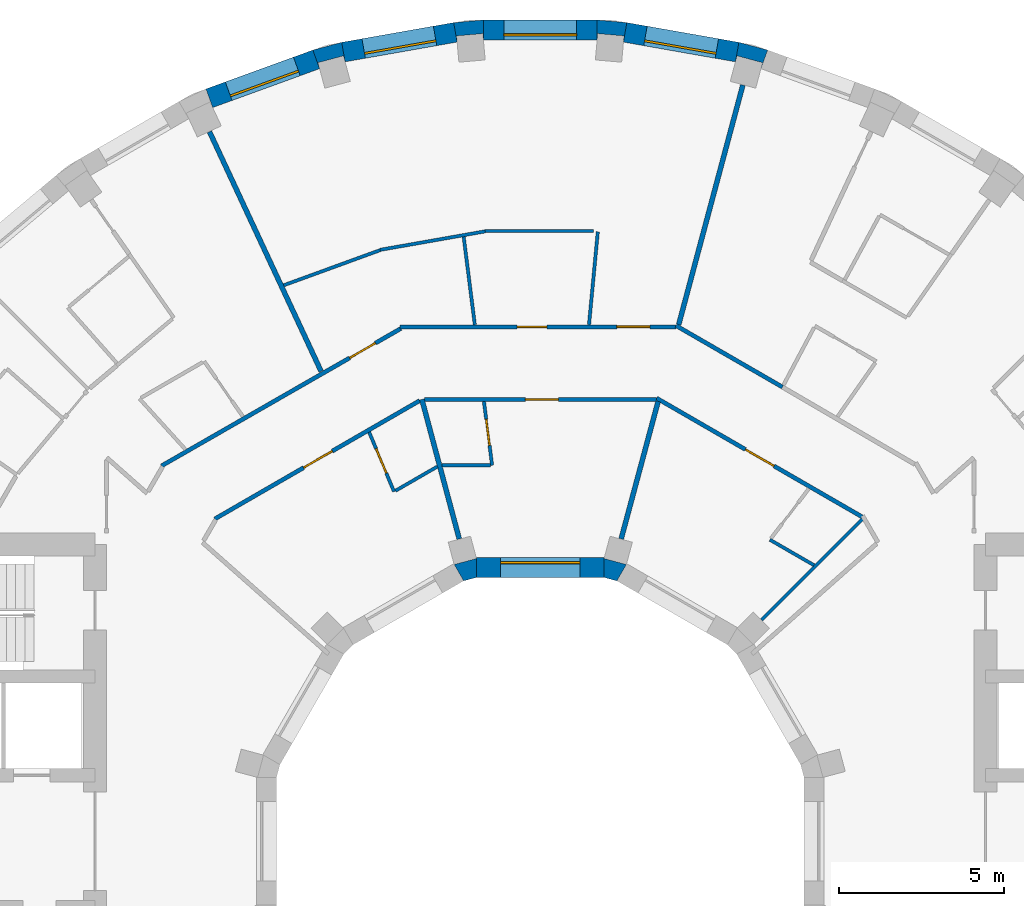
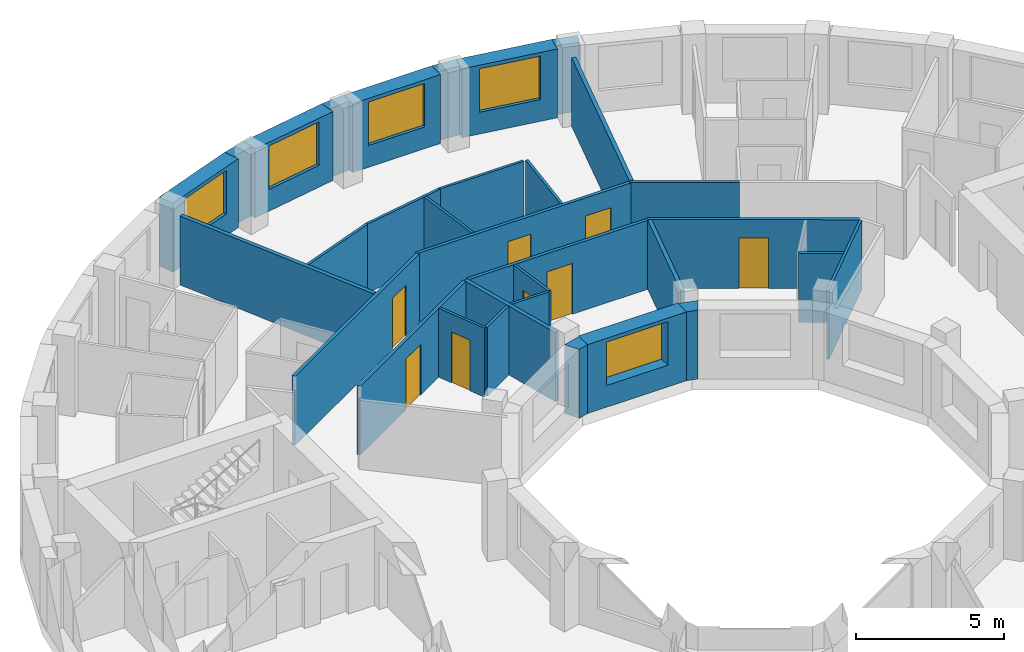
# One storey, part 8 of 11: 32 walls, 8 doors, 5 windows, 13 openings.
"""IFC4 building model written with IfcOpenShell, lengths in metres."""

from ifc_helpers import new_model, si_unit, direction, frame, frame_2d, origin, place, context, subcontext, project, spatial, polyline, rectangle, outline, extrude, material, layer, layer_set, type_object, element, fill, save


model = new_model("IFC4")

# Units and contexts
model_context = context("Model", 3, precision=1e-05, world=origin(), true_north=direction((0.0, 1.0)))
body_context = subcontext(model_context, "Body", "Model", "MODEL_VIEW")
ifc_project = project(units=[si_unit("LENGTHUNIT", "METRE"), si_unit("AREAUNIT", "SQUARE_METRE"), si_unit("VOLUMEUNIT", "CUBIC_METRE"), si_unit("PLANEANGLEUNIT", "RADIAN"), si_unit("MASSUNIT", "GRAM", prefix="KILO")], contexts=[model_context])

# Site, building, storey
site_placement = place(None, origin())
site = spatial("IfcSite", under=ifc_project, at=site_placement, CompositionType="ELEMENT")
building_placement = place(site_placement, origin())
building = spatial("IfcBuilding", under=site, at=building_placement, Name="Saqina Gate Tower", CompositionType="ELEMENT")
storey_placement = place(building_placement, frame((0.0, 0.0, 183.89990234375)))
storey = spatial("IfcBuildingStorey", under=building, at=storey_placement, Name="L52", CompositionType="ELEMENT", Elevation=183.89990234375)

# Walls
ifc_material_1 = material(Name="Brick masonry (buff)", Category="masonry")
wall_type_1 = type_object("IfcWallType", Name="BRICK PIER COPING BUFF", PredefinedType="SOLIDWALL", material=ifc_material_1)
wall_1_placement = place(storey_placement, origin())
element("IfcWall", 1, at=wall_1_placement, inside=storey, type_object=wall_type_1, Name="Pier cap L52 column 8", PredefinedType="SOLIDWALL", context=body_context, shape_type="SweptSolid", body=[
    extrude(outline(polyline([(6.0234375, 24.22705078125), (5.919189453125, 23.635986328125), (5.967529296875, 23.81689453125), (6.740478515625, 23.610107421875), (6.69189453125, 23.428955078125), (6.897216796875, 23.992919921875), (6.0234375, 24.22705078125)])), origin(), (0.0, 0.0, 1.0), 2.85009765625),
])
wall_2_placement = place(storey_placement, origin())
element("IfcWall", 2, at=wall_2_placement, inside=storey, type_object=wall_type_1, Name="Pier cap L52 column 9", PredefinedType="SOLIDWALL", context=body_context, shape_type="SweptSolid", body=[
    extrude(outline(polyline([(2.6259765625, 24.825927734375), (1.724853515625, 24.90478515625), (1.724853515625, 24.304931640625), (1.7412109375, 24.491455078125), (2.5380859375, 24.421630859375), (2.521728515625, 24.235107421875), (2.6259765625, 24.825927734375)])), origin(), (0.0, 0.0, 1.0), 2.85009765625),
])
wall_3_placement = place(storey_placement, origin())
element("IfcWall", 3, at=wall_3_placement, inside=storey, type_object=wall_type_1, Name="Pier cap L52 column 10", PredefinedType="SOLIDWALL", context=body_context, shape_type="SweptSolid", body=[
    extrude(outline(polyline([(-1.724853515625, 24.90478515625), (-2.6259765625, 24.825927734375), (-2.521728515625, 24.235107421875), (-2.5380859375, 24.421630859375), (-1.7412109375, 24.491455078125), (-1.724853515625, 24.304931640625), (-1.724853515625, 24.90478515625)])), origin(), (0.0, 0.0, 1.0), 2.85009765625),
])
wall_4_placement = place(storey_placement, origin())
element("IfcWall", 4, at=wall_4_placement, inside=storey, type_object=wall_type_1, Name="Pier cap L52 column 11", PredefinedType="SOLIDWALL", context=body_context, shape_type="SweptSolid", body=[
    extrude(outline(polyline([(-6.0234375, 24.22705078125), (-6.897216796875, 23.992919921875), (-6.69189453125, 23.428955078125), (-6.740478515625, 23.610107421875), (-5.967529296875, 23.81689453125), (-5.919189453125, 23.635986328125), (-6.0234375, 24.22705078125)])), origin(), (0.0, 0.0, 1.0), 2.85009765625),
])

# Wall, opening, window
ifc_material_2 = material(Name="Brick masonry (buff)", Category="masonry")
ifc_layer_1 = layer(ifc_material_2, 0.60009765625)
ifc_layer_set_1 = layer_set([ifc_layer_1], Name="FW-BRICK-BUFF")
wall_type_2 = type_object("IfcWallType", Name="FW-BRICK-BUFF", PredefinedType="SOLIDWALL", material=ifc_layer_set_1)
wall_5_placement = place(storey_placement, frame((5.97119140625, 23.931640625, 0.0), z_axis=(0.0, 0.0, 1.0), x_axis=(-0.984814892183, 0.173607684551, 0.0)))
wall_5 = element("IfcWall", 5, at=wall_5_placement, inside=storey, type_object=wall_type_2, Name="Facade wall L52 facet 8", PredefinedType="SOLIDWALL", context=body_context, shape_type="SweptSolid", body=[
    extrude(rectangle(XDim=3.44970703125, YDim=0.60009765625, at=frame_2d((1.724853515625, 0.0))), origin(), (0.0, 0.0, 1.0), 2.85009765625),
])
opening_1_placement = place(wall_5_placement, frame((0.625, 0.0, 0.89990234375)))
opening_1 = element("IfcOpeningElement", 6, at=opening_1_placement, cuts=wall_5, Name="Opening G15-W05", PredefinedType="OPENING", context=body_context, shape_type="SweptSolid", body=[
    extrude(rectangle(XDim=2.199951171875, YDim=1.800048828125, at=frame_2d((1.10009765625, 0.89990234375))), frame((0.0, 0.31201171875, 0.0), z_axis=(0.0, -1.0, 0.0), x_axis=(1.0, 0.0, 0.0)), (0.0, 0.0, 1.0), 0.6240234375),
])
ifc_material_3 = material(Name="Aluminium glazing", Category="aluminium")
window_type_1 = type_object("IfcWindowType", Name="WN-C", PartitioningType="SINGLE_PANEL", PredefinedType="WINDOW", material=ifc_material_3)
window_1_placement = place(opening_1_placement, origin())
window_1 = element("IfcWindow", 7, at=window_1_placement, inside=storey, type_object=window_type_1, Name="Window L52 facet 8", OverallHeight=1.800048828125, OverallWidth=2.199951171875, PartitioningType="SINGLE_PANEL", PredefinedType="WINDOW", context=body_context, shape_type="SweptSolid", body=[
    extrude(rectangle(XDim=2.199951171875, YDim=1.800048828125, at=frame_2d((1.10009765625, 0.89990234375))), frame((0.0, 0.179931640625, 0.0), z_axis=(0.0, -1.0, 0.0), x_axis=(1.0, 0.0, 0.0)), (0.0, 0.0, 1.0), 0.06005859375),
])
fill(opening_1, window_1)

wall_6_placement = place(storey_placement, frame((1.724853515625, 24.60498046875, 0.0), z_axis=(0.0, 0.0, 1.0), x_axis=(-1.0, 0.0, 0.0)))
wall_6 = element("IfcWall", 8, at=wall_6_placement, inside=storey, type_object=wall_type_2, Name="Facade wall L52 facet 9", PredefinedType="SOLIDWALL", context=body_context, shape_type="SweptSolid", body=[
    extrude(rectangle(XDim=3.44970703125, YDim=0.60009765625, at=frame_2d((1.724853515625, 0.0))), origin(), (0.0, 0.0, 1.0), 2.85009765625),
])
opening_2_placement = place(wall_6_placement, frame((0.625, 0.0, 0.89990234375)))
opening_2 = element("IfcOpeningElement", 9, at=opening_2_placement, cuts=wall_6, Name="Opening G15-W06", PredefinedType="OPENING", context=body_context, shape_type="SweptSolid", body=[
    extrude(rectangle(XDim=2.199951171875, YDim=1.800048828125, at=frame_2d((1.10009765625, 0.89990234375))), frame((0.0, 0.31201171875, 0.0), z_axis=(0.0, -1.0, 0.0), x_axis=(1.0, 0.0, 0.0)), (0.0, 0.0, 1.0), 0.6240234375),
])
window_2_placement = place(opening_2_placement, origin())
window_2 = element("IfcWindow", 10, at=window_2_placement, inside=storey, type_object=window_type_1, Name="Window L52 facet 9", OverallHeight=1.800048828125, OverallWidth=2.199951171875, PartitioningType="SINGLE_PANEL", PredefinedType="WINDOW", context=body_context, shape_type="SweptSolid", body=[
    extrude(rectangle(XDim=2.199951171875, YDim=1.800048828125, at=frame_2d((1.10009765625, 0.89990234375))), frame((0.0, 0.179931640625, 0.0), z_axis=(0.0, -1.0, 0.0), x_axis=(1.0, 0.0, 0.0)), (0.0, 0.0, 1.0), 0.06005859375),
])
fill(opening_2, window_2)

wall_7_placement = place(storey_placement, frame((-2.573974609375, 24.530517578125, 0.0), z_axis=(0.0, 0.0, 1.0), x_axis=(-0.984814892183, -0.173607684551, 0.0)))
wall_7 = element("IfcWall", 11, at=wall_7_placement, inside=storey, type_object=wall_type_2, Name="Facade wall L52 facet 10", PredefinedType="SOLIDWALL", context=body_context, shape_type="SweptSolid", body=[
    extrude(rectangle(XDim=3.44970703125, YDim=0.60009765625, at=frame_2d((1.724853515625, 0.0))), origin(), (0.0, 0.0, 1.0), 2.85009765625),
])
opening_3_placement = place(wall_7_placement, frame((0.625, 0.0, 0.89990234375)))
opening_3 = element("IfcOpeningElement", 12, at=opening_3_placement, cuts=wall_7, Name="Opening G15-W07", PredefinedType="OPENING", context=body_context, shape_type="SweptSolid", body=[
    extrude(rectangle(XDim=2.199951171875, YDim=1.800048828125, at=frame_2d((1.10009765625, 0.89990234375))), frame((0.0, 0.31201171875, 0.0), z_axis=(0.0, -1.0, 0.0), x_axis=(1.0, 0.0, 0.0)), (0.0, 0.0, 1.0), 0.6240234375),
])
window_3_placement = place(opening_3_placement, origin())
window_3 = element("IfcWindow", 13, at=window_3_placement, inside=storey, type_object=window_type_1, Name="Window L52 facet 10", OverallHeight=1.800048828125, OverallWidth=2.199951171875, PartitioningType="SINGLE_PANEL", PredefinedType="WINDOW", context=body_context, shape_type="SweptSolid", body=[
    extrude(rectangle(XDim=2.199951171875, YDim=1.800048828125, at=frame_2d((1.10009765625, 0.89990234375))), frame((0.0, 0.179931640625, 0.0), z_axis=(0.0, -1.0, 0.0), x_axis=(1.0, 0.0, 0.0)), (0.0, 0.0, 1.0), 0.06005859375),
])
fill(opening_3, window_3)

wall_8_placement = place(storey_placement, frame((-6.79443359375, 23.7109375, 0.0), z_axis=(0.0, 0.0, 1.0), x_axis=(-0.93968799822, -0.342032843455, 0.0)))
wall_8 = element("IfcWall", 14, at=wall_8_placement, inside=storey, type_object=wall_type_2, Name="Facade wall L52 facet 11", PredefinedType="SOLIDWALL", context=body_context, shape_type="SweptSolid", body=[
    extrude(rectangle(XDim=3.44970703125, YDim=0.60009765625, at=frame_2d((1.724853515625, 0.0))), origin(), (0.0, 0.0, 1.0), 2.85009765625),
])
opening_4_placement = place(wall_8_placement, frame((0.625, 0.0, 0.89990234375)))
opening_4 = element("IfcOpeningElement", 15, at=opening_4_placement, cuts=wall_8, Name="Opening G15-W08", PredefinedType="OPENING", context=body_context, shape_type="SweptSolid", body=[
    extrude(rectangle(XDim=2.199951171875, YDim=1.800048828125, at=frame_2d((1.10009765625, 0.89990234375))), frame((0.0, 0.31201171875, 0.0), z_axis=(0.0, -1.0, 0.0), x_axis=(1.0, 0.0, 0.0)), (0.0, 0.0, 1.0), 0.6240234375),
])
window_4_placement = place(opening_4_placement, origin())
window_4 = element("IfcWindow", 16, at=window_4_placement, inside=storey, type_object=window_type_1, Name="Window L52 facet 11", OverallHeight=1.800048828125, OverallWidth=2.199951171875, PartitioningType="SINGLE_PANEL", PredefinedType="WINDOW", context=body_context, shape_type="SweptSolid", body=[
    extrude(rectangle(XDim=2.199951171875, YDim=1.800048828125, at=frame_2d((1.10009765625, 0.89990234375))), frame((0.0, 0.179931640625, 0.0), z_axis=(0.0, -1.0, 0.0), x_axis=(1.0, 0.0, 0.0)), (0.0, 0.0, 1.0), 0.06005859375),
])
fill(opening_4, window_4)

ifc_material_4 = material(Name="Glazed ceramic tile", Category="ceramic")
ifc_layer_2 = layer(ifc_material_4, 0.60009765625)
ifc_layer_set_2 = layer_set([ifc_layer_2], Name="IW-TILE")
wall_type_3 = type_object("IfcWallType", Name="IW-TILE", PredefinedType="SOLIDWALL", material=ifc_layer_set_2)
wall_9_placement = place(storey_placement, frame((1.934814453125, 8.300048828125, 0.0), z_axis=(0.0, 0.0, 1.0), x_axis=(-1.0, 0.0, 0.0)))
wall_9 = element("IfcWall", 17, at=wall_9_placement, inside=storey, type_object=wall_type_3, Name="Well wall L52 facet 3", PredefinedType="SOLIDWALL", context=body_context, shape_type="SweptSolid", body=[
    extrude(rectangle(XDim=3.86962890625, YDim=0.60009765625, at=frame_2d((1.934814453125, 0.0))), origin(), (0.0, 0.0, 1.0), 2.85009765625),
])
opening_5_placement = place(wall_9_placement, frame((0.73486328125, 0.0, 0.89990234375)))
opening_5 = element("IfcOpeningElement", 18, at=opening_5_placement, cuts=wall_9, Name="Opening G15-W28", PredefinedType="OPENING", context=body_context, shape_type="SweptSolid", body=[
    extrude(rectangle(XDim=2.39990234375, YDim=1.800048828125, at=frame_2d((1.199951171875, 0.89990234375))), frame((0.0, 0.31201171875, 0.0), z_axis=(0.0, -1.0, 0.0), x_axis=(1.0, 0.0, 0.0)), (0.0, 0.0, 1.0), 0.6240234375),
])
ifc_material_5 = material(Name="Aluminium glazing", Category="aluminium")
window_type_2 = type_object("IfcWindowType", Name="WN-W", PartitioningType="SINGLE_PANEL", PredefinedType="WINDOW", material=ifc_material_5)
window_5_placement = place(opening_5_placement, origin())
window_5 = element("IfcWindow", 19, at=window_5_placement, inside=storey, type_object=window_type_2, Name="Well window L52 facet 3", OverallHeight=1.800048828125, OverallWidth=2.39990234375, PartitioningType="SINGLE_PANEL", PredefinedType="WINDOW", context=body_context, shape_type="SweptSolid", body=[
    extrude(rectangle(XDim=2.39990234375, YDim=1.800048828125, at=frame_2d((1.199951171875, 0.89990234375))), frame((0.0, -0.119873046875, 0.0), z_axis=(0.0, -1.0, 0.0), x_axis=(1.0, 0.0, 0.0)), (0.0, 0.0, 1.0), 0.06005859375),
])
fill(opening_5, window_5)

# Wall
ifc_material_6 = material(Name="Gypsum board on steel studs, 100 mm", Category="steel")
ifc_layer_3 = layer(ifc_material_6, 0.10009765625)
ifc_layer_set_3 = layer_set([ifc_layer_3], Name="PARTITION 100")
wall_type_4 = type_object("IfcWallType", Name="PARTITION 100", PredefinedType="PARTITIONING", material=ifc_layer_set_3)
wall_10_placement = place(storey_placement, frame((-2.32275390625, 18.330322265625, 0.0), z_axis=(0.0, 0.0, 1.0), x_axis=(0.125632208846, -0.992076886184, 0.0)))
element("IfcWall", 20, at=wall_10_placement, inside=storey, type_object=wall_type_4, Name="PARTITION PW3-02", PredefinedType="PARTITIONING", context=body_context, shape_type="SweptSolid", body=[
    extrude(rectangle(XDim=2.689453125, YDim=0.10009765625, at=frame_2d((1.3447265625, 0.0))), origin(), (0.0, 0.0, 1.0), 2.85009765625),
])

# Wall, opening, door
wall_11_placement = place(storey_placement, frame((-1.708984375, 13.337890625, 0.0), z_axis=(0.0, 0.0, 1.0), x_axis=(0.126956267131, -0.991908315439, 0.0)))
wall_11 = element("IfcWall", 21, at=wall_11_placement, inside=storey, type_object=wall_type_4, Name="PARTITION PW3-03", PredefinedType="PARTITIONING", context=body_context, shape_type="SweptSolid", body=[
    extrude(rectangle(XDim=1.953857421875, YDim=0.10009765625, at=frame_2d((0.97705078125, 0.0))), origin(), (0.0, 0.0, 1.0), 2.85009765625),
])
opening_6_placement = place(wall_11_placement, frame((0.545654296875, 0.0, 0.0)))
opening_6 = element("IfcOpeningElement", 22, at=opening_6_placement, cuts=wall_11, Name="Opening G15-D12", PredefinedType="OPENING", context=body_context, shape_type="SweptSolid", body=[
    extrude(rectangle(XDim=0.800048828125, YDim=2.10009765625, at=frame_2d((0.39990234375, 1.050048828125))), frame((0.0, 0.06201171875, 0.0), z_axis=(0.0, -1.0, 0.0), x_axis=(1.0, 0.0, 0.0)), (0.0, 0.0, 1.0), 0.1240234375),
])
ifc_material_7 = material(Name="Timber door leaf, 800 mm", Category="wood")
door_type_1 = type_object("IfcDoorType", Name="DOOR 800 TIMBER", OperationType="SINGLE_SWING_LEFT", PredefinedType="DOOR", material=ifc_material_7)
door_1_placement = place(opening_6_placement, origin())
door_1 = element("IfcDoor", 23, at=door_1_placement, inside=storey, type_object=door_type_1, Name="DOOR G15-D12", OperationType="SINGLE_SWING_LEFT", OverallHeight=2.10009765625, OverallWidth=0.800048828125, PredefinedType="DOOR", context=body_context, shape_type="SweptSolid", body=[
    extrude(rectangle(XDim=0.800048828125, YDim=2.10009765625, at=frame_2d((0.39990234375, 1.050048828125))), frame((0.0, 0.02490234375, 0.0), z_axis=(0.0, -1.0, 0.0), x_axis=(1.0, 0.0, 0.0)), (0.0, 0.0, 1.0), 0.050048828125),
])
fill(opening_6, door_1)

wall_12_placement = place(storey_placement, frame((-5.18896484375, 12.4052734375, 0.0), z_axis=(0.0, 0.0, 1.0), x_axis=(0.385910563531, -0.922536198182, 0.0)))
wall_12 = element("IfcWall", 24, at=wall_12_placement, inside=storey, type_object=wall_type_4, Name="PARTITION PW3-05", PredefinedType="PARTITIONING", context=body_context, shape_type="SweptSolid", body=[
    extrude(rectangle(XDim=1.95361328125, YDim=0.10009765625, at=frame_2d((0.976806640625, 0.0))), origin(), (0.0, 0.0, 1.0), 2.85009765625),
])
opening_7_placement = place(wall_12_placement, frame((0.545654296875, 0.0, 0.0)))
opening_7 = element("IfcOpeningElement", 25, at=opening_7_placement, cuts=wall_12, Name="Opening G15-D14", PredefinedType="OPENING", context=body_context, shape_type="SweptSolid", body=[
    extrude(rectangle(XDim=0.800048828125, YDim=2.10009765625, at=frame_2d((0.39990234375, 1.050048828125))), frame((0.0, 0.06201171875, 0.0), z_axis=(0.0, -1.0, 0.0), x_axis=(1.0, 0.0, 0.0)), (0.0, 0.0, 1.0), 0.1240234375),
])
door_2_placement = place(opening_7_placement, frame((0.800048828125, 0.0, 0.0), z_axis=(0.0, 0.0, 1.0), x_axis=(-1.0, 0.0, 0.0)))
door_2 = element("IfcDoor", 26, at=door_2_placement, inside=storey, type_object=door_type_1, Name="DOOR G15-D14", OperationType="SINGLE_SWING_RIGHT", OverallHeight=2.10009765625, OverallWidth=0.800048828125, PredefinedType="DOOR", context=body_context, shape_type="SweptSolid", body=[
    extrude(rectangle(XDim=0.800048828125, YDim=2.10009765625, at=frame_2d((0.39990234375, 1.050048828125))), frame((0.0, 0.02490234375, 0.0), z_axis=(0.0, -1.0, 0.0), x_axis=(1.0, 0.0, 0.0)), (0.0, 0.0, 1.0), 0.050048828125),
])
fill(opening_7, door_2)

# Walls
wall_13_placement = place(storey_placement, frame((6.965087890625, 9.14208984375, 0.0), z_axis=(0.0, 0.0, 1.0), x_axis=(0.865956409518, -0.500119482538, 0.0)))
element("IfcWall", 27, at=wall_13_placement, inside=storey, type_object=wall_type_4, Name="PARTITION PW3-24", PredefinedType="PARTITIONING", context=body_context, shape_type="SweptSolid", body=[
    extrude(rectangle(XDim=1.54345703125, YDim=0.10009765625, at=frame_2d((0.771728515625, 0.0))), origin(), (0.0, 0.0, 1.0), 2.85009765625),
])
wall_14_placement = place(storey_placement, frame((-2.97998046875, 11.39990234375, 0.0), z_axis=(0.0, 0.0, 1.0), x_axis=(1.0, 0.0, 0.0)))
element("IfcWall", 28, at=wall_14_placement, inside=storey, type_object=wall_type_4, Name="PARTITION PW3-33", PredefinedType="PARTITIONING", context=body_context, shape_type="SweptSolid", body=[
    extrude(rectangle(XDim=1.468994140625, YDim=0.10009765625, at=frame_2d((0.734375, 0.0))), origin(), (0.0, 0.0, 1.0), 2.85009765625),
])
wall_15_placement = place(storey_placement, frame((-1.669677734375, 18.5048828125, 0.0), z_axis=(0.0, 0.0, 1.0), x_axis=(1.0, 0.0, 0.0)))
element("IfcWall", 29, at=wall_15_placement, inside=storey, type_object=wall_type_4, Name="PARTITION PW3-34", PredefinedType="PARTITIONING", context=body_context, shape_type="SweptSolid", body=[
    extrude(rectangle(XDim=3.28857421875, YDim=0.10009765625, at=frame_2d((1.644287109375, 0.0))), origin(), (0.0, 0.0, 1.0), 2.85009765625),
])
wall_16_placement = place(storey_placement, frame((-4.85791015625, 17.93408203125, 0.0), z_axis=(0.0, 0.0, 1.0), x_axis=(0.984816929669, 0.173596126217, 0.0)))
element("IfcWall", 30, at=wall_16_placement, inside=storey, type_object=wall_type_4, Name="PARTITION PW3-35", PredefinedType="PARTITIONING", context=body_context, shape_type="SweptSolid", body=[
    extrude(rectangle(XDim=3.23876953125, YDim=0.10009765625, at=frame_2d((1.619384765625, 0.0))), origin(), (0.0, 0.0, 1.0), 2.85009765625),
])
wall_17_placement = place(storey_placement, frame((-7.779541015625, 16.860595703125, 0.0), z_axis=(0.0, 0.0, 1.0), x_axis=(0.939616954474, 0.3422279633, 0.0)))
element("IfcWall", 31, at=wall_17_placement, inside=storey, type_object=wall_type_4, Name="PARTITION PW3-37", PredefinedType="PARTITIONING", context=body_context, shape_type="SweptSolid", body=[
    extrude(rectangle(XDim=3.112548828125, YDim=0.10009765625, at=frame_2d((1.55615234375, 0.0))), origin(), (0.0, 0.0, 1.0), 2.85009765625),
])
wall_18_placement = place(storey_placement, frame((-4.3916015625, 10.6279296875, 0.0), z_axis=(0.0, 0.0, 1.0), x_axis=(0.865911474639, 0.500197279169, 0.0)))
element("IfcWall", 32, at=wall_18_placement, inside=storey, type_object=wall_type_4, Name="PARTITION PW3-41", PredefinedType="PARTITIONING", context=body_context, shape_type="SweptSolid", body=[
    extrude(rectangle(XDim=1.46875, YDim=0.10009765625, at=frame_2d((0.734375, 0.0))), origin(), (0.0, 0.0, 1.0), 2.85009765625),
])
wall_19_placement = place(storey_placement, frame((6.7119140625, 6.7119140625, 0.0), z_axis=(0.0, 0.0, 1.0), x_axis=(0.707106781187, 0.707106781187, 0.0)))
element("IfcWall", 33, at=wall_19_placement, inside=storey, type_object=wall_type_4, Name="PARTITION PW3-50", PredefinedType="PARTITIONING", context=body_context, shape_type="SweptSolid", body=[
    extrude(rectangle(XDim=4.317626953125, YDim=0.10009765625, at=frame_2d((2.15869140625, 0.0))), origin(), (0.0, 0.0, 1.0), 2.85009765625),
])
wall_20_placement = place(storey_placement, frame((1.477783203125, 15.662109375, 0.0), z_axis=(0.0, 0.0, 1.0), x_axis=(0.094349605613, 0.995539126263, 0.0)))
element("IfcWall", 34, at=wall_20_placement, inside=storey, type_object=wall_type_4, Name="PARTITION PW3-62", PredefinedType="PARTITIONING", context=body_context, shape_type="SweptSolid", body=[
    extrude(rectangle(XDim=2.83349609375, YDim=0.10009765625, at=frame_2d((1.416748046875, 0.0))), origin(), (0.0, 0.0, 1.0), 2.85009765625),
])

# Wall, opening, door
ifc_material_8 = material(Name="Gypsum board on steel studs, 125 mm, fire rated", Category="steel")
ifc_layer_4 = layer(ifc_material_8, 0.125)
ifc_layer_set_4 = layer_set([ifc_layer_4], Name="PARTITION EI 30 125")
wall_type_5 = type_object("IfcWallType", Name="PARTITION EI 30 125", PredefinedType="PARTITIONING", material=ifc_layer_set_4)
wall_21_placement = place(storey_placement, frame((3.528564453125, 13.43603515625, 0.0), z_axis=(0.0, 0.0, 1.0), x_axis=(0.865968995572, -0.500097689165, 0.0)))
wall_21 = element("IfcWall", 35, at=wall_21_placement, inside=storey, type_object=wall_type_5, Name="PARTITION PW1-16", PredefinedType="PARTITIONING", context=body_context, shape_type="SweptSolid", body=[
    extrude(rectangle(XDim=7.18994140625, YDim=0.125, at=frame_2d((3.594970703125, 0.0))), origin(), (0.0, 0.0, 1.0), 2.85009765625),
])
opening_8_placement = place(wall_21_placement, frame((3.111572265625, 0.0, 0.0)))
opening_8 = element("IfcOpeningElement", 36, at=opening_8_placement, cuts=wall_21, Name="Opening G15-D07", PredefinedType="OPENING", context=body_context, shape_type="SweptSolid", body=[
    extrude(rectangle(XDim=1.0, YDim=2.10009765625, at=frame_2d((0.5, 1.050048828125))), frame((0.0, 0.074462890625, 0.0), z_axis=(0.0, -1.0, 0.0), x_axis=(1.0, 0.0, 0.0)), (0.0, 0.0, 1.0), 0.14892578125),
])
ifc_material_9 = material(Name="Fire door leaf EI 30, 1000 mm")
door_type_2 = type_object("IfcDoorType", Name="DOOR 1000 EI 30", OperationType="SINGLE_SWING_LEFT", PredefinedType="DOOR", material=ifc_material_9)
door_3_placement = place(opening_8_placement, frame((1.0, 0.0, 0.0), z_axis=(0.0, 0.0, 1.0), x_axis=(-1.0, 0.0, 0.0)))
door_3 = element("IfcDoor", 37, at=door_3_placement, inside=storey, type_object=door_type_2, Name="DOOR G15-D07", OperationType="SINGLE_SWING_LEFT", OverallHeight=2.10009765625, OverallWidth=1.0, PredefinedType="DOOR", context=body_context, shape_type="SweptSolid", body=[
    extrude(rectangle(XDim=1.0, YDim=2.10009765625, at=frame_2d((0.5, 1.050048828125))), frame((0.0, 0.02490234375, 0.0), z_axis=(0.0, -1.0, 0.0), x_axis=(1.0, 0.0, 0.0)), (0.0, 0.0, 1.0), 0.050048828125),
])
fill(opening_8, door_3)

# Wall
wall_22_placement = place(storey_placement, frame((4.117431640625, 15.635986328125, 0.0), z_axis=(0.0, 0.0, 1.0), x_axis=(0.866036031404, -0.49998159197, 0.0)))
element("IfcWall", 38, at=wall_22_placement, inside=storey, type_object=wall_type_5, Name="PARTITION PW1-17", PredefinedType="PARTITIONING", context=body_context, shape_type="SweptSolid", body=[
    extrude(rectangle(XDim=3.724365234375, YDim=0.125, at=frame_2d((1.8623046875, 0.0))), origin(), (0.0, 0.0, 1.0), 2.85009765625),
])

# Wall, opening, door
wall_23_placement = place(storey_placement, frame((-3.51611328125, 13.39990234375, 0.0), z_axis=(0.0, 0.0, 1.0), x_axis=(1.0, 0.0, 0.0)))
wall_23 = element("IfcWall", 39, at=wall_23_placement, inside=storey, type_object=wall_type_5, Name="PARTITION PW1-21", PredefinedType="PARTITIONING", context=body_context, shape_type="SweptSolid", body=[
    extrude(rectangle(XDim=7.044677734375, YDim=0.125, at=frame_2d((3.5224609375, 0.0))), origin(), (0.0, 0.0, 1.0), 2.85009765625),
])
opening_9_placement = place(wall_23_placement, frame((3.06689453125, 0.0, 0.0)))
opening_9 = element("IfcOpeningElement", 40, at=opening_9_placement, cuts=wall_23, Name="Opening G15-D10", PredefinedType="OPENING", context=body_context, shape_type="SweptSolid", body=[
    extrude(rectangle(XDim=1.0, YDim=2.10009765625, at=frame_2d((0.5, 1.050048828125))), frame((0.0, 0.074462890625, 0.0), z_axis=(0.0, -1.0, 0.0), x_axis=(1.0, 0.0, 0.0)), (0.0, 0.0, 1.0), 0.14892578125),
])
door_4_placement = place(opening_9_placement, frame((1.0, 0.0, 0.0), z_axis=(0.0, 0.0, 1.0), x_axis=(-1.0, 0.0, 0.0)))
door_4 = element("IfcDoor", 41, at=door_4_placement, inside=storey, type_object=door_type_2, Name="DOOR G15-D10", OperationType="SINGLE_SWING_LEFT", OverallHeight=2.10009765625, OverallWidth=1.0, PredefinedType="DOOR", context=body_context, shape_type="SweptSolid", body=[
    extrude(rectangle(XDim=1.0, YDim=2.10009765625, at=frame_2d((0.5, 1.050048828125))), frame((0.0, 0.02490234375, 0.0), z_axis=(0.0, -1.0, 0.0), x_axis=(1.0, 0.0, 0.0)), (0.0, 0.0, 1.0), 0.050048828125),
])
fill(opening_9, door_4)

# Wall, openings, doors
wall_24_placement = place(storey_placement, frame((-4.251953125, 15.60009765625, 0.0), z_axis=(0.0, 0.0, 1.0), x_axis=(1.0, 0.0, 0.0)))
wall_24 = element("IfcWall", 42, at=wall_24_placement, inside=storey, type_object=wall_type_5, Name="PARTITION PW1-22", PredefinedType="PARTITIONING", context=body_context, shape_type="SweptSolid", body=[
    extrude(rectangle(XDim=8.369384765625, YDim=0.125, at=frame_2d((4.1845703125, 0.0))), origin(), (0.0, 0.0, 1.0), 2.85009765625),
])
opening_10_placement = place(wall_24_placement, frame((6.578125, 0.0, 0.0)))
opening_10 = element("IfcOpeningElement", 43, at=opening_10_placement, cuts=wall_24, Name="Opening G15-D09", PredefinedType="OPENING", context=body_context, shape_type="SweptSolid", body=[
    extrude(rectangle(XDim=1.0, YDim=2.10009765625, at=frame_2d((0.5, 1.050048828125))), frame((0.0, 0.074462890625, 0.0), z_axis=(0.0, -1.0, 0.0), x_axis=(1.0, 0.0, 0.0)), (0.0, 0.0, 1.0), 0.14892578125),
])
opening_11_placement = place(wall_24_placement, frame((3.549560546875, 0.0, 0.0)))
opening_11 = element("IfcOpeningElement", 44, at=opening_11_placement, cuts=wall_24, Name="Opening G15-D11", PredefinedType="OPENING", context=body_context, shape_type="SweptSolid", body=[
    extrude(rectangle(XDim=0.89990234375, YDim=2.10009765625, at=frame_2d((0.449951171875, 1.050048828125))), frame((0.0, 0.074462890625, 0.0), z_axis=(0.0, -1.0, 0.0), x_axis=(1.0, 0.0, 0.0)), (0.0, 0.0, 1.0), 0.14892578125),
])
door_5_placement = place(opening_10_placement, frame((1.0, 0.0, 0.0), z_axis=(0.0, 0.0, 1.0), x_axis=(-1.0, 0.0, 0.0)))
door_5 = element("IfcDoor", 45, at=door_5_placement, inside=storey, type_object=door_type_2, Name="DOOR G15-D09", OperationType="SINGLE_SWING_LEFT", OverallHeight=2.10009765625, OverallWidth=1.0, PredefinedType="DOOR", context=body_context, shape_type="SweptSolid", body=[
    extrude(rectangle(XDim=1.0, YDim=2.10009765625, at=frame_2d((0.5, 1.050048828125))), frame((0.0, 0.02490234375, 0.0), z_axis=(0.0, -1.0, 0.0), x_axis=(1.0, 0.0, 0.0)), (0.0, 0.0, 1.0), 0.050048828125),
])
fill(opening_10, door_5)
ifc_material_10 = material(Name="Fire door leaf EI 30, 900 mm")
door_type_3 = type_object("IfcDoorType", Name="DOOR 900 EI 30", OperationType="SINGLE_SWING_LEFT", PredefinedType="DOOR", material=ifc_material_10)
door_6_placement = place(opening_11_placement, origin())
door_6 = element("IfcDoor", 46, at=door_6_placement, inside=storey, type_object=door_type_3, Name="DOOR G15-D11", OperationType="SINGLE_SWING_LEFT", OverallHeight=2.10009765625, OverallWidth=0.89990234375, PredefinedType="DOOR", context=body_context, shape_type="SweptSolid", body=[
    extrude(rectangle(XDim=0.89990234375, YDim=2.10009765625, at=frame_2d((0.449951171875, 1.050048828125))), frame((0.0, 0.02490234375, 0.0), z_axis=(0.0, -1.0, 0.0), x_axis=(1.0, 0.0, 0.0)), (0.0, 0.0, 1.0), 0.050048828125),
])
fill(opening_11, door_6)

# Wall, opening, door
wall_25_placement = place(storey_placement, frame((-11.48388671875, 11.384765625, 0.0), z_axis=(0.0, 0.0, 1.0), x_axis=(0.867331679026, 0.49773060842, 0.0)))
wall_25 = element("IfcWall", 47, at=wall_25_placement, inside=storey, type_object=wall_type_5, Name="PARTITION PW1-23", PredefinedType="PARTITIONING", context=body_context, shape_type="SweptSolid", body=[
    extrude(rectangle(XDim=8.37060546875, YDim=0.125, at=frame_2d((4.185302734375, 0.0))), origin(), (0.0, 0.0, 1.0), 2.85009765625),
])
opening_12_placement = place(wall_25_placement, frame((6.5751953125, 0.0, 0.0)))
opening_12 = element("IfcOpeningElement", 48, at=opening_12_placement, cuts=wall_25, Name="Opening G15-D13", PredefinedType="OPENING", context=body_context, shape_type="SweptSolid", body=[
    extrude(rectangle(XDim=0.89990234375, YDim=2.10009765625, at=frame_2d((0.449951171875, 1.050048828125))), frame((0.0, 0.074462890625, 0.0), z_axis=(0.0, -1.0, 0.0), x_axis=(1.0, 0.0, 0.0)), (0.0, 0.0, 1.0), 0.14892578125),
])
door_7_placement = place(opening_12_placement, origin())
door_7 = element("IfcDoor", 49, at=door_7_placement, inside=storey, type_object=door_type_3, Name="DOOR G15-D13", OperationType="SINGLE_SWING_RIGHT", OverallHeight=2.10009765625, OverallWidth=0.89990234375, PredefinedType="DOOR", context=body_context, shape_type="SweptSolid", body=[
    extrude(rectangle(XDim=0.89990234375, YDim=2.10009765625, at=frame_2d((0.449951171875, 1.050048828125))), frame((0.0, 0.02490234375, 0.0), z_axis=(0.0, -1.0, 0.0), x_axis=(1.0, 0.0, 0.0)), (0.0, 0.0, 1.0), 0.050048828125),
])
fill(opening_12, door_7)

wall_26_placement = place(storey_placement, frame((-9.871337890625, 9.77294921875, 0.0), z_axis=(0.0, 0.0, 1.0), x_axis=(0.865954448031, 0.500122878836, 0.0)))
wall_26 = element("IfcWall", 50, at=wall_26_placement, inside=storey, type_object=wall_type_5, Name="PARTITION PW1-26", PredefinedType="PARTITIONING", context=body_context, shape_type="SweptSolid", body=[
    extrude(rectangle(XDim=7.177490234375, YDim=0.125, at=frame_2d((3.5888671875, 0.0))), origin(), (0.0, 0.0, 1.0), 2.85009765625),
])
opening_13_placement = place(wall_26_placement, frame((3.111572265625, 0.0, 0.0)))
opening_13 = element("IfcOpeningElement", 51, at=opening_13_placement, cuts=wall_26, Name="Opening G15-D15", PredefinedType="OPENING", context=body_context, shape_type="SweptSolid", body=[
    extrude(rectangle(XDim=1.0, YDim=2.10009765625, at=frame_2d((0.5, 1.050048828125))), frame((0.0, 0.074462890625, 0.0), z_axis=(0.0, -1.0, 0.0), x_axis=(1.0, 0.0, 0.0)), (0.0, 0.0, 1.0), 0.14892578125),
])
door_8_placement = place(opening_13_placement, frame((1.0, 0.0, 0.0), z_axis=(0.0, 0.0, 1.0), x_axis=(-1.0, 0.0, 0.0)))
door_8 = element("IfcDoor", 52, at=door_8_placement, inside=storey, type_object=door_type_2, Name="DOOR G15-D15", OperationType="SINGLE_SWING_LEFT", OverallHeight=2.10009765625, OverallWidth=1.0, PredefinedType="DOOR", context=body_context, shape_type="SweptSolid", body=[
    extrude(rectangle(XDim=1.0, YDim=2.10009765625, at=frame_2d((0.5, 1.050048828125))), frame((0.0, 0.02490234375, 0.0), z_axis=(0.0, -1.0, 0.0), x_axis=(1.0, 0.0, 0.0)), (0.0, 0.0, 1.0), 0.050048828125),
])
fill(opening_13, door_8)

# Walls
ifc_material_11 = material(Name="Gypsum board on steel studs, 150 mm, fire rated", Category="steel")
ifc_layer_5 = layer(ifc_material_11, 0.14990234375)
ifc_layer_set_5 = layer_set([ifc_layer_5], Name="PARTITION EI 60 150")
wall_type_6 = type_object("IfcWallType", Name="PARTITION EI 60 150", PredefinedType="PARTITIONING", material=ifc_layer_set_5)
wall_27_placement = place(storey_placement, frame((-3.591064453125, 13.39990234375, 0.0), z_axis=(0.0, 0.0, 1.0), x_axis=(0.25888001656, -0.965909486974, 0.0)))
element("IfcWall", 53, at=wall_27_placement, inside=storey, type_object=wall_type_6, Name="PARTITION PW2-02", PredefinedType="PARTITIONING", context=body_context, shape_type="SweptSolid", body=[
    extrude(rectangle(XDim=4.380615234375, YDim=0.14990234375, at=frame_2d((2.1904296875, 0.0))), origin(), (0.0, 0.0, 1.0), 2.85009765625),
])
wall_28_placement = place(storey_placement, frame((-10.03125, 21.5166015625, 0.0), z_axis=(0.0, 0.0, 1.0), x_axis=(0.422305280768, -0.906453666679, 0.0)))
element("IfcWall", 54, at=wall_28_placement, inside=storey, type_object=wall_type_6, Name="PARTITION PW2-03", PredefinedType="PARTITIONING", context=body_context, shape_type="SweptSolid", body=[
    extrude(rectangle(XDim=8.017822265625, YDim=0.14990234375, at=frame_2d((4.0087890625, 0.0))), origin(), (0.0, 0.0, 1.0), 2.85009765625),
])
wall_29_placement = place(storey_placement, frame((2.45361328125, 9.169677734375, 0.0), z_axis=(0.0, 0.0, 1.0), x_axis=(0.259632812034, 0.965707410614, 0.0)))
element("IfcWall", 55, at=wall_29_placement, inside=storey, type_object=wall_type_6, Name="PARTITION PW2-05", PredefinedType="PARTITIONING", context=body_context, shape_type="SweptSolid", body=[
    extrude(rectangle(XDim=4.318115234375, YDim=0.14990234375, at=frame_2d((2.1591796875, 0.0))), origin(), (0.0, 0.0, 1.0), 2.85009765625),
])
wall_30_placement = place(storey_placement, frame((4.197509765625, 15.6630859375, 0.0), z_axis=(0.0, 0.0, 1.0), x_axis=(0.258633906583, 0.96597541499, 0.0)))
element("IfcWall", 56, at=wall_30_placement, inside=storey, type_object=wall_type_6, Name="PARTITION PW2-07", PredefinedType="PARTITIONING", context=body_context, shape_type="SweptSolid", body=[
    extrude(rectangle(XDim=7.5244140625, YDim=0.14990234375, at=frame_2d((3.76220703125, 0.0))), origin(), (0.0, 0.0, 1.0), 2.85009765625),
])
ifc_material_12 = material(Name="Glazed ceramic tile", Category="ceramic")
wall_type_7 = type_object("IfcWallType", Name="TILE PIER COPING", PredefinedType="SOLIDWALL", material=ifc_material_12)
wall_31_placement = place(storey_placement, origin())
element("IfcWall", 57, at=wall_31_placement, inside=storey, type_object=wall_type_7, Name="Well pier cap L52 column 3", PredefinedType="SOLIDWALL", context=body_context, shape_type="SweptSolid", body=[
    extrude(outline(polyline([(1.934814453125, 8.573486328125), (1.934814453125, 8.0), (2.32421875, 7.895751953125), (2.611083984375, 8.392333984375), (1.934814453125, 8.573486328125)])), origin(), (0.0, 0.0, 1.0), 2.85009765625),
])
wall_32_placement = place(storey_placement, origin())
element("IfcWall", 58, at=wall_32_placement, inside=storey, type_object=wall_type_7, Name="Well pier cap L52 column 4", PredefinedType="SOLIDWALL", context=body_context, shape_type="SweptSolid", body=[
    extrude(outline(polyline([(-1.934814453125, 8.0), (-1.934814453125, 8.573486328125), (-2.611083984375, 8.392333984375), (-2.32421875, 7.895751953125), (-1.934814453125, 8.0)])), origin(), (0.0, 0.0, 1.0), 2.85009765625),
])

save(model, "model.ifc")
